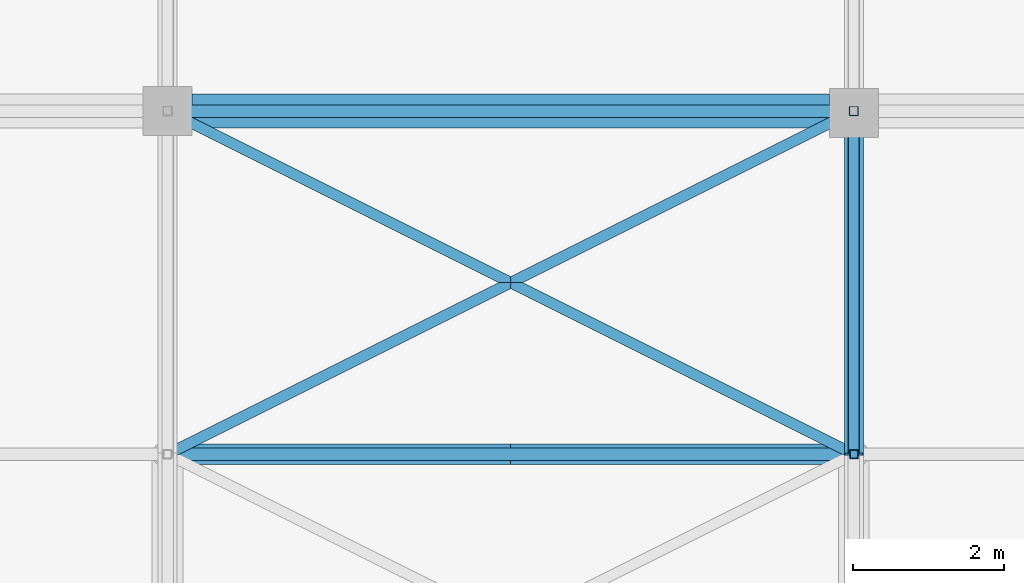
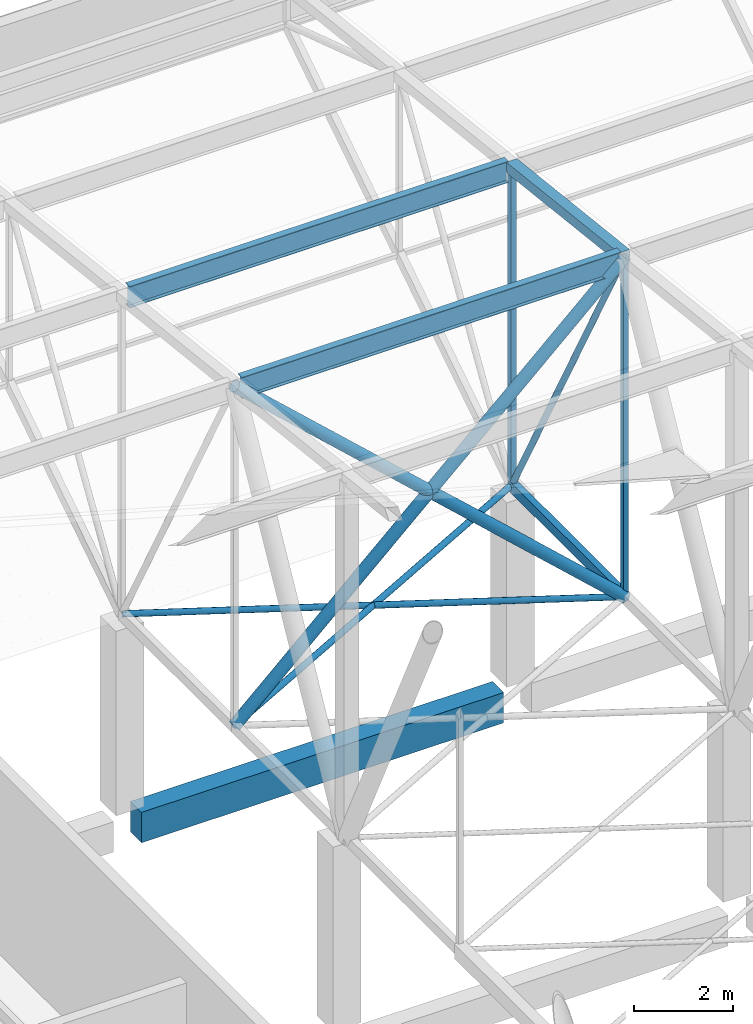
# One storey, part 251 of 500: 11 members, 1 beam.
"""IFC4 building model written with IfcOpenShell, lengths in metres."""

from ifc_helpers import new_model, si_unit, direction, frame, origin, origin_2d, place, context, subcontext, project, spatial, rectangle, hollow_rectangle, hollow_circle, i_section, extrude, material, material_profile, profile_set, type_object, element, save


model = new_model("IFC4")

# Units and contexts
model_context = context("Model", 3, precision=1e-05, world=origin(), true_north=direction((0.0, 1.0)))
body_context = subcontext(model_context, "Body", "Model", "MODEL_VIEW")
ifc_project = project(units=[si_unit("LENGTHUNIT", "METRE"), si_unit("AREAUNIT", "SQUARE_METRE"), si_unit("VOLUMEUNIT", "CUBIC_METRE"), si_unit("PLANEANGLEUNIT", "RADIAN"), si_unit("MASSUNIT", "GRAM", prefix="KILO")], contexts=[model_context])

# Site, building, storey
site_placement = place(None, origin())
site = spatial("IfcSite", under=ifc_project, at=site_placement, CompositionType="ELEMENT")
building_placement = place(site_placement, origin())
building = spatial("IfcBuilding", under=site, at=building_placement, Name="Shirokan Park Arena", CompositionType="ELEMENT")
storey_placement = place(building_placement, frame((0.0, 0.0, 29.1201171875)))
storey = spatial("IfcBuildingStorey", under=building, at=storey_placement, Name="L06", CompositionType="ELEMENT", Elevation=29.1201171875)

# Members
ifc_material_1 = material(Name="Steel ASTM A500 Grade C", Category="steel")
ifc_material_profile_1 = material_profile(ifc_material_1, hollow_circle(Radius=0.136474609375, WallThickness=0.009521484375, at=origin_2d()), Name="HSS273.1X9.5")
ifc_profile_set_1 = profile_set([ifc_material_profile_1], Name="Steel ASTM A500 Grade C")
member_type_1 = type_object("IfcMemberType", Name="Bearing bracing HSS273.1X9.5", PredefinedType="BRACE", material=ifc_profile_set_1)
for number, where, z_axis, x_axis, name in (
    (1, (45.5, 104.64990234375, 4.677001953125), (0.735440048561, 0.0, 0.677589798457), (0.0, 1.0, 0.0), "Bearing bracing bay 6 node 26 A"),
    (2, (54.60009765625, 104.64990234375, 4.677001953125), (-0.735440048561, 0.0, 0.677589798457), (0.0, -1.0, 0.0), "Bearing bracing bay 6 node 26 B"),
):
    element("IfcMember", number, at=place(storey_placement, frame(where, z_axis=z_axis, x_axis=x_axis)), inside=storey, type_object=member_type_1, Name=name, PredefinedType="BRACE", context=body_context, shape_type="SweptSolid", body=[
        extrude(hollow_circle(Radius=0.136474609375, WallThickness=0.009521484375, at=origin_2d()), origin(), (0.0, 0.0, 1.0), 12.373779296875),
    ])
ifc_material_profile_2 = material_profile(ifc_material_1, hollow_rectangle(XDim=0.152099609375, YDim=0.25390625, WallThickness=0.009521484375, at=origin_2d()), Name="HSS254X152.4X9.5")
ifc_profile_set_2 = profile_set([ifc_material_profile_2], Name="Steel ASTM A500 Grade C")
member_type_2 = type_object("IfcMemberType", Name="Bottom chord HSS254X152.4X9.5", PredefinedType="CHORD", material=ifc_profile_set_2)
member_1_placement = place(storey_placement, frame((54.60009765625, 104.64990234375, 4.677001953125), z_axis=(0.0, 1.0, 0.0), x_axis=(-1.0, 0.0, 0.0)))
element("IfcMember", 3, at=member_1_placement, inside=storey, type_object=member_type_2, Name="Truss T07 bottom chord 26", PredefinedType="CHORD", context=body_context, shape_type="SweptSolid", body=[
    extrude(hollow_rectangle(XDim=0.152099609375, YDim=0.25390625, WallThickness=0.009521484375, at=origin_2d()), origin(), (0.0, 0.0, 1.0), 4.550048828125),
])
ifc_material_profile_3 = material_profile(ifc_material_1, hollow_circle(Radius=0.070556640625, WallThickness=0.009521484375, at=origin_2d()), Name="HSS141.3X9.5")
ifc_profile_set_3 = profile_set([ifc_material_profile_3], Name="Steel ASTM A500 Grade C")
member_type_3 = type_object("IfcMemberType", Name="Plan bracing HSS141.3X9.5", PredefinedType="BRACE", material=ifc_profile_set_3)
for number, where, z_axis, x_axis, name in (
    (4, (45.5, 104.64990234375, 4.677001953125), (0.894427191, 0.4472135955, 0.0), (-0.4472135955, 0.894427191, 0.0), "Plan bracing bay 6 panel 26 A"),
    (5, (54.60009765625, 104.64990234375, 4.677001953125), (-0.894427191, 0.4472135955, 0.0), (-0.4472135955, -0.894427191, 0.0), "Plan bracing bay 6 panel 26 B"),
):
    element("IfcMember", number, at=place(storey_placement, frame(where, z_axis=z_axis, x_axis=x_axis)), inside=storey, type_object=member_type_3, Name=name, PredefinedType="BRACE", context=body_context, shape_type="SweptSolid", body=[
        extrude(hollow_circle(Radius=0.070556640625, WallThickness=0.009521484375, at=origin_2d()), origin(), (0.0, 0.0, 1.0), 10.17431640625),
    ])
ifc_material_2 = material(Name="Steel ASTM A992", Category="steel")
ifc_material_profile_4 = material_profile(ifc_material_2, i_section(OverallWidth=0.166015625, OverallDepth=0.528076171875, WebThickness=0.009765625, FlangeThickness=0.013671875, at=origin_2d()), Name="W530X74")
ifc_profile_set_4 = profile_set([ifc_material_profile_4], Name="Steel ASTM A992")
member_type_4 = type_object("IfcMemberType", Name="Purlin W530X74", PredefinedType="PURLIN", material=ifc_profile_set_4)
for number, where, z_axis, x_axis, name in (
    (6, (45.626953125, 104.64990234375, 13.005859375), (1.0, 0.0, 0.0), (0.0, 1.0, 0.0), "Purlin 26 bay 6"),
    (7, (45.626953125, 109.199951171875, 12.48583984375), (1.0, 0.0, 0.0), (0.0, 1.0, 0.0), "Purlin 27 bay 6"),
):
    element("IfcMember", number, at=place(storey_placement, frame(where, z_axis=z_axis, x_axis=x_axis)), inside=storey, type_object=member_type_4, Name=name, PredefinedType="PURLIN", context=body_context, shape_type="SweptSolid", body=[
        extrude(i_section(OverallWidth=0.166015625, OverallDepth=0.528076171875, WebThickness=0.009765625, FlangeThickness=0.013671875, at=origin_2d()), origin(), (0.0, 0.0, 1.0), 8.845947265625),
    ])

# Beam
ifc_material_3 = material(Name="Concrete C35", Category="concrete")
ifc_material_profile_5 = material_profile(ifc_material_3, rectangle(XDim=0.449951171875, YDim=0.75, at=origin_2d()), Name="450x750")
ifc_profile_set_5 = profile_set([ifc_material_profile_5], Name="Concrete C35")
beam_type = type_object("IfcBeamType", Name="RC girder 450x750", PredefinedType="BEAM", material=ifc_profile_set_5)
beam_placement = place(storey_placement, frame((45.8251953125, 109.199951171875, -0.5751953125), z_axis=(1.0, 0.0, 0.0), x_axis=(0.0, 1.0, 0.0)))
element("IfcBeam", 8, at=beam_placement, inside=storey, type_object=beam_type, Name="Girder 6N-7N L06", PredefinedType="BEAM", context=body_context, shape_type="SweptSolid", body=[
    extrude(rectangle(XDim=0.449951171875, YDim=0.75, at=origin_2d()), origin(), (0.0, 0.0, 1.0), 8.44970703125),
])

# Members
ifc_material_profile_6 = material_profile(ifc_material_1, hollow_rectangle(XDim=0.25390625, YDim=0.25390625, WallThickness=0.009521484375, at=origin_2d()), Name="HSS254X254X9.5")
ifc_profile_set_6 = profile_set([ifc_material_profile_6], Name="Steel ASTM A500 Grade C")
member_type_5 = type_object("IfcMemberType", Name="Top chord HSS254X254X9.5", PredefinedType="CHORD", material=ifc_profile_set_6)
member_2_placement = place(storey_placement, frame((54.60009765625, 104.64990234375, 13.061279296875), z_axis=(0.0, 0.993538341779, -0.113496975353), x_axis=(-1.0, 0.0, 0.0)))
element("IfcMember", 9, at=member_2_placement, inside=storey, type_object=member_type_5, Name="Truss T07 top chord 26", PredefinedType="CHORD", context=body_context, shape_type="SweptSolid", body=[
    extrude(hollow_rectangle(XDim=0.25390625, YDim=0.25390625, WallThickness=0.009521484375, at=origin_2d()), origin(), (0.0, 0.0, 1.0), 4.57958984375),
])
ifc_material_profile_7 = material_profile(ifc_material_1, hollow_circle(Radius=0.070556640625, WallThickness=0.006591796875, at=origin_2d()), Name="HSS141.3X6.6")
ifc_profile_set_7 = profile_set([ifc_material_profile_7], Name="Steel ASTM A500 Grade C")
member_type_6 = type_object("IfcMemberType", Name="Truss diagonal HSS141.3X6.6", PredefinedType="BRACE", material=ifc_profile_set_7)
member_3_placement = place(storey_placement, frame((54.60009765625, 104.64990234375, 13.061279296875), z_axis=(0.0, 0.476977206611, -0.878915663971), x_axis=(-1.0, 0.0, 0.0)))
element("IfcMember", 10, at=member_3_placement, inside=storey, type_object=member_type_6, Name="Truss T07 diagonal 26", PredefinedType="BRACE", context=body_context, shape_type="SweptSolid", body=[
    extrude(hollow_circle(Radius=0.070556640625, WallThickness=0.006591796875, at=origin_2d()), origin(), (0.0, 0.0, 1.0), 9.539306640625),
])
ifc_material_profile_8 = material_profile(ifc_material_1, hollow_rectangle(XDim=0.114013671875, YDim=0.114013671875, WallThickness=0.00634765625, at=origin_2d()), Name="HSS114.3X114.3X6.4")
ifc_profile_set_8 = profile_set([ifc_material_profile_8], Name="Steel ASTM A500 Grade C")
member_type_7 = type_object("IfcMemberType", Name="Truss post HSS114.3X114.3X6.4", PredefinedType="POST", material=ifc_profile_set_8)
member_4_placement = place(storey_placement, frame((54.60009765625, 104.64990234375, 4.677001953125), z_axis=(0.0, 0.0, 1.0), x_axis=(1.0, 0.0, 0.0)))
element("IfcMember", 11, at=member_4_placement, inside=storey, type_object=member_type_7, Name="Truss T07 post 26", PredefinedType="POST", context=body_context, shape_type="SweptSolid", body=[
    extrude(hollow_rectangle(XDim=0.114013671875, YDim=0.114013671875, WallThickness=0.00634765625, at=origin_2d()), origin(), (0.0, 0.0, 1.0), 8.38427734375),
])
ifc_material_profile_9 = material_profile(ifc_material_1, hollow_rectangle(XDim=0.126953125, YDim=0.126953125, WallThickness=0.0126953125, at=origin_2d()), Name="HSS127X127X12.7")
ifc_profile_set_9 = profile_set([ifc_material_profile_9], Name="Steel ASTM A500 Grade C")
member_type_8 = type_object("IfcMemberType", Name="Truss post HSS127X127X12.7", PredefinedType="POST", material=ifc_profile_set_9)
member_5_placement = place(storey_placement, frame((54.60009765625, 109.199951171875, 4.677001953125), z_axis=(0.0, 0.0, 1.0), x_axis=(1.0, 0.0, 0.0)))
element("IfcMember", 12, at=member_5_placement, inside=storey, type_object=member_type_8, Name="Truss T07 post 27", PredefinedType="POST", context=body_context, shape_type="SweptSolid", body=[
    extrude(hollow_rectangle(XDim=0.126953125, YDim=0.126953125, WallThickness=0.0126953125, at=origin_2d()), origin(), (0.0, 0.0, 1.0), 7.864501953125),
])

save(model, "model.ifc")
